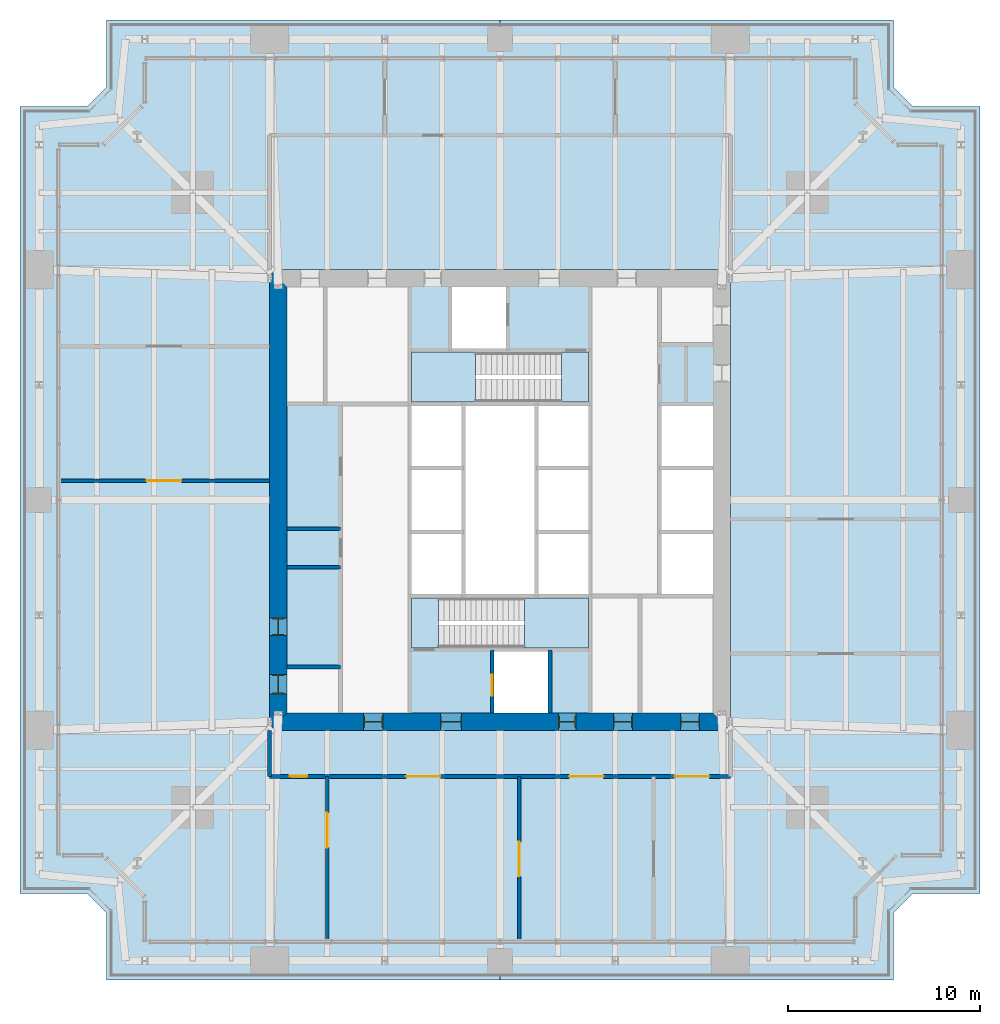
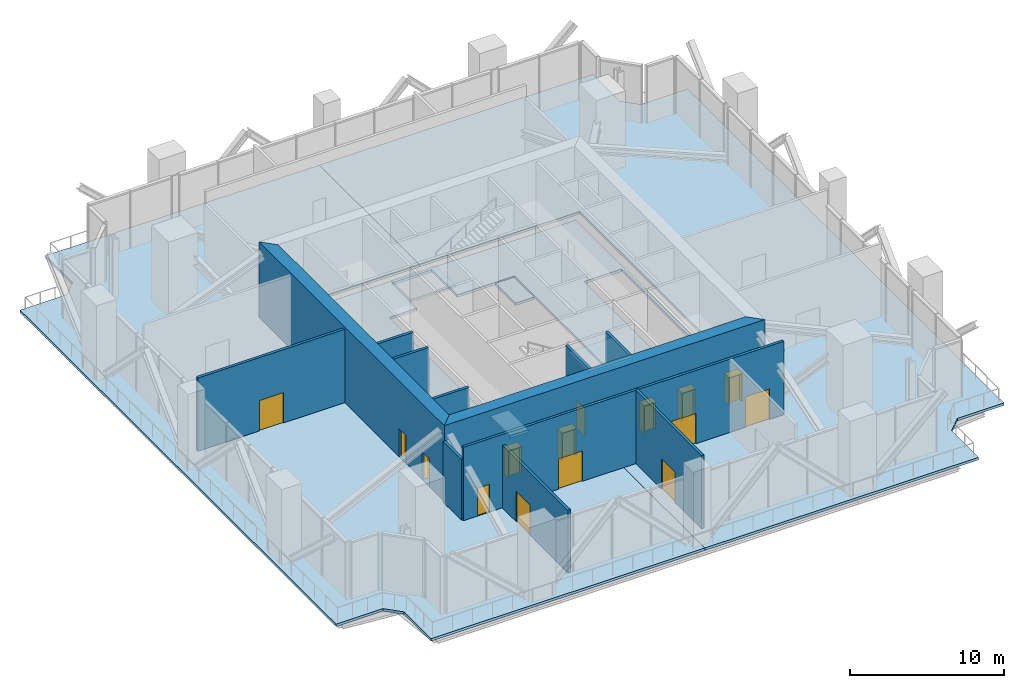
# One storey, part 9 of 14: 15 doors, 12 walls, 7 slabs, 15 openings, 2 elements without a shape of their own.
"""IFC4 building model written with IfcOpenShell, lengths in metres."""

import ifcopenshell
import ifcopenshell.guid

model = None  # the IFC model being written
_history = None  # IfcOwnerHistory: only IFC2X3 demands one
_inside = {}  # id of a spatial element -> (the spatial element, [elements in it])
_under = {}  # id of a project, library or spatial element -> (it, [spatial elements below it])
_declared = {}  # id of a project -> (the project, [libraries it declares])
_typed = {}  # id of a type object -> (the type object, [elements of that type])
_made_of = {}  # id of a material, layer set ... -> (it, [elements and type objects made of it])


def new_model(schema):
    """Start an empty IFC model of exactly this schema.

    Asked for "IFC4X3", IfcOpenShell would pick the latest addendum, in which some entities
    have other attributes; the version numbers below select the first issue.
    IFC2X3 requires an IfcOwnerHistory on every rooted entity: one is made here for all.
    """
    global model, _history
    if schema == "IFC4X3":
        model = ifcopenshell.file(schema_version=(4, 3, 0, 0))
    else:
        model = ifcopenshell.file(schema=schema)
    _inside.clear()
    _under.clear()
    _declared.clear()
    _typed.clear()
    _made_of.clear()
    _history = None
    if model.schema == "IFC2X3":
        org = make("IfcOrganization", Name="unknown")
        user = make(
            "IfcPersonAndOrganization",
            ThePerson=make("IfcPerson", FamilyName="unknown"),
            TheOrganization=org,
        )
        app = make(
            "IfcApplication",
            ApplicationDeveloper=org,
            Version="unknown",
            ApplicationFullName="unknown",
            ApplicationIdentifier="unknown",
        )
        _history = make(
            "IfcOwnerHistory",
            OwningUser=user,
            OwningApplication=app,
            ChangeAction="ADDED",
            CreationDate=0,
        )
    return model


def make(cls, **values):
    """One entity of the class cls with the attributes given. An attribute that is None is left unset."""
    return model.create_entity(
        cls, **{name: value for name, value in values.items() if value is not None}
    )


def rooted(cls, **values):
    """An entity with a GlobalId (a new one), such as an element, a storey or a relation."""
    return make(cls, GlobalId=ifcopenshell.guid.new(), OwnerHistory=_history, **values)


def si_unit(unit_type, name, prefix=None):
    """IfcSIUnit, for example si_unit("LENGTHUNIT", "METRE", prefix="MILLI")."""
    return make("IfcSIUnit", UnitType=unit_type, Prefix=prefix, Name=name)


def assignment(units):
    """IfcUnitAssignment: the units of a project."""
    return None if units is None else make("IfcUnitAssignment", Units=units)


def point(xyz):
    """IfcCartesianPoint."""
    return None if xyz is None else make("IfcCartesianPoint", Coordinates=xyz)


def direction(xyz):
    """IfcDirection."""
    return None if xyz is None else make("IfcDirection", DirectionRatios=xyz)


def frame(location, z_axis=None, x_axis=None):
    """IfcAxis2Placement3D, a coordinate frame: its origin and axes. An axis left out is left unset."""
    return make(
        "IfcAxis2Placement3D",
        Location=point(location),
        Axis=direction(z_axis),
        RefDirection=direction(x_axis),
    )


def frame_2d(location, x_axis=None):
    """IfcAxis2Placement2D, a coordinate frame in the plane: its origin and x axis."""
    return make(
        "IfcAxis2Placement2D", Location=point(location), RefDirection=direction(x_axis)
    )


def origin():
    """The frame at (0, 0, 0) with its axes left unset."""
    return frame((0.0, 0.0, 0.0))


def place(relative_to, where):
    """IfcLocalPlacement: puts the frame where relative to a parent placement (None: the world)."""
    return make(
        "IfcLocalPlacement", PlacementRelTo=relative_to, RelativePlacement=where
    )


def context(
    kind, dimensions, precision=None, world=None, true_north=None, identifier=None
):
    """IfcGeometricRepresentationContext, for example the 3D "Model" context."""
    return make(
        "IfcGeometricRepresentationContext",
        ContextIdentifier=identifier,
        ContextType=kind,
        CoordinateSpaceDimension=dimensions,
        Precision=precision,
        WorldCoordinateSystem=world,
        TrueNorth=true_north,
    )


def subcontext(parent, identifier, kind, view, scale=None):
    """IfcGeometricRepresentationSubContext, for example "Body" below "Model"."""
    return make(
        "IfcGeometricRepresentationSubContext",
        ContextIdentifier=identifier,
        ContextType=kind,
        ParentContext=parent,
        TargetScale=scale,
        TargetView=view,
    )


def project(units=None, contexts=None):
    """IfcProject with its units and contexts."""
    return rooted(
        "IfcProject",
        Name="project",
        RepresentationContexts=contexts,
        UnitsInContext=assignment(units),
    )


def spatial(cls, under=None, at=None, **own):
    """A site, building, storey or space (cls), placed at a placement, below another one or the project."""
    s = rooted(cls, ObjectPlacement=at, **own)
    if under is not None:
        _under.setdefault(under.id(), (under, []))[1].append(s)
    return s


def polyline(points):
    """IfcPolyline through the points."""
    return make("IfcPolyline", Points=[point(p) for p in points])


def profile(cls, at=None, kind="AREA", **sizes):
    """A parametric profile (cls). Its sizes go by their IFC names, for example OverallWidth=200.0."""
    return make(cls, ProfileType=kind, Position=at, **sizes)


def rectangle(**sizes):
    """IfcRectangleProfileDef."""
    return profile("IfcRectangleProfileDef", **sizes)


def outline(outer, holes=None, kind="AREA"):
    """IfcArbitraryClosedProfileDef: a profile drawn as a closed curve; with holes, ...WithVoids."""
    if holes is None:
        return make("IfcArbitraryClosedProfileDef", ProfileType=kind, OuterCurve=outer)
    return make(
        "IfcArbitraryProfileDefWithVoids",
        ProfileType=kind,
        OuterCurve=outer,
        InnerCurves=holes,
    )


def extrude(swept, where, along, depth):
    """IfcExtrudedAreaSolid: the profile swept, set in the frame where, extruded along a direction by depth."""
    return make(
        "IfcExtrudedAreaSolid",
        SweptArea=swept,
        Position=where,
        ExtrudedDirection=direction(along),
        Depth=depth,
    )


def shape(context_of_items, identifier, shape_type, items):
    """IfcShapeRepresentation: the items that make up one representation, for example the "Body"."""
    return make(
        "IfcShapeRepresentation",
        ContextOfItems=context_of_items,
        RepresentationIdentifier=identifier,
        RepresentationType=shape_type,
        Items=items,
    )


def material(Name=None, Category=None):
    """IfcMaterial."""
    return make("IfcMaterial", Name=Name, Category=Category)


def layer(
    of_material, thickness, ventilated=None, Name=None, Category=None, Priority=None
):
    """IfcMaterialLayer: one layer of a wall or slab, of a material (None: an air gap)."""
    return make(
        "IfcMaterialLayer",
        Material=of_material,
        LayerThickness=thickness,
        IsVentilated=ventilated,
        Name=Name,
        Category=Category,
        Priority=Priority,
    )


def layer_set(layers, Name=None):
    """IfcMaterialLayerSet."""
    return make("IfcMaterialLayerSet", MaterialLayers=layers, LayerSetName=Name)


def made_of(thing, what):
    """Note that an element or type object is made of a material, layer set ...; save() writes the relation."""
    if what is not None:
        _made_of.setdefault(what.id(), (what, []))[1].append(thing)
    return thing


def type_object(cls, material=None, **own):
    """A type object (cls), such as IfcWallType, which elements share."""
    return made_of(rooted(cls, **own), material)


def element(
    cls,
    number,
    at=None,
    inside=None,
    cuts=None,
    type_object=None,
    material=None,
    context=None,
    identifier="Body",
    shape_type=None,
    held_by="IfcProductDefinitionShape",
    body=None,
    shapes=None,
    **own,
):
    """One element of the class cls, such as IfcWall. Its Tag is "e" and its number.

    at: its placement. inside: the storey or other place that contains it. cuts: it is an
    opening in that element (IfcRelVoidsElement). A single representation is given by context,
    identifier, shape_type and body (its items); several are given by shapes. held_by: the class
    of the entity that holds the representations. save() writes the other relations.
    """
    e = rooted(cls, Tag="e%d" % number, ObjectPlacement=at, **own)
    if body is not None:
        shapes = [shape(context, identifier, shape_type, body)]
    if shapes is not None:
        e.Representation = make(held_by, Representations=shapes)
    if inside is not None:
        _inside.setdefault(inside.id(), (inside, []))[1].append(e)
    if cuts is not None:
        rooted(
            "IfcRelVoidsElement", RelatingBuildingElement=cuts, RelatedOpeningElement=e
        )
    if type_object is not None:
        _typed.setdefault(type_object.id(), (type_object, []))[1].append(e)
    return made_of(e, material)


def fill(opening, filler):
    """IfcRelFillsElement: the door or window that sits in an opening."""
    return rooted(
        "IfcRelFillsElement",
        RelatingOpeningElement=opening,
        RelatedBuildingElement=filler,
    )


def aggregate(whole, parts):
    """IfcRelAggregates: a whole, such as a stair, and the parts it consists of."""
    return rooted("IfcRelAggregates", RelatingObject=whole, RelatedObjects=parts)


def save(model, path):
    """Write the relations noted so far, then the file.

    IfcRelAggregates (storeys below a building ...), IfcRelContainedInSpatialStructure (elements
    in a storey), IfcRelDefinesByType, IfcRelAssociatesMaterial and IfcRelDeclares: one each for
    every whole, place, type object, material and project.
    """
    for whole, parts in _under.values():
        aggregate(whole, parts)
    for where, things in _inside.values():
        rooted(
            "IfcRelContainedInSpatialStructure",
            RelatedElements=things,
            RelatingStructure=where,
        )
    for kind, things in _typed.values():
        rooted("IfcRelDefinesByType", RelatedObjects=things, RelatingType=kind)
    for what, things in _made_of.values():
        rooted("IfcRelAssociatesMaterial", RelatedObjects=things, RelatingMaterial=what)
    for by, libraries in _declared.values():
        rooted("IfcRelDeclares", RelatingContext=by, RelatedDefinitions=libraries)
    model.write(path)


model = new_model("IFC4")

# Units and contexts
model_context = context("Model", 3, precision=1e-05, world=origin(), true_north=direction((0.0, 1.0)))
body_context = subcontext(model_context, "Body", "Model", "MODEL_VIEW")
ifc_project = project(units=[si_unit("LENGTHUNIT", "METRE"), si_unit("AREAUNIT", "SQUARE_METRE"), si_unit("VOLUMEUNIT", "CUBIC_METRE"), si_unit("PLANEANGLEUNIT", "RADIAN"), si_unit("MASSUNIT", "GRAM", prefix="KILO")], contexts=[model_context])

# Site, building, storey
site_placement = place(None, origin())
site = spatial("IfcSite", under=ifc_project, at=site_placement, CompositionType="ELEMENT")
building_placement = place(site_placement, origin())
building = spatial("IfcBuilding", under=site, at=building_placement, Name="Fenwick Lantern Interchange", CompositionType="ELEMENT")
storey_placement = place(building_placement, frame((0.0, 0.0, 162.39990234375)))
storey = spatial("IfcBuildingStorey", under=building, at=storey_placement, Name="L38", CompositionType="ELEMENT", Elevation=162.39990234375)

# Slabs
ifc_material_1 = material(Name="Concrete f'c 35 MPa", Category="concrete")
ifc_layer_1 = layer(ifc_material_1, 0.199951171875)
ifc_layer_set_1 = layer_set([ifc_layer_1], Name="CORE FLOOR SLAB 200")
slab_type_1 = type_object("IfcSlabType", Name="CORE FLOOR SLAB 200", PredefinedType="FLOOR", material=ifc_layer_set_1)
slab_1_placement = place(storey_placement, frame((0.0, 0.0, -0.199951171875)))
element("IfcSlab", 1, at=slab_1_placement, inside=storey, type_object=slab_type_1, Name="L38/SLAB/CORE", PredefinedType="FLOOR", context=body_context, shape_type="SweptSolid", body=[
    extrude(outline(polyline([(13.699951171875, 36.300048828125), (36.300048828125, 36.300048828125), (36.300048828125, 13.699951171875), (13.699951171875, 13.699951171875), (13.699951171875, 36.300048828125)]), holes=[polyline([(29.699951171875, 17.199951171875), (29.699951171875, 20.0), (29.699951171875, 23.333251953125), (29.699951171875, 26.666748046875), (29.699951171875, 30.0), (29.699951171875, 32.800048828125), (25.39990234375, 32.800048828125), (25.39990234375, 36.10009765625), (22.39990234375, 36.10009765625), (22.39990234375, 32.800048828125), (20.300048828125, 32.800048828125), (20.300048828125, 30.0), (20.300048828125, 26.666748046875), (20.300048828125, 23.333251953125), (20.300048828125, 20.0), (20.300048828125, 17.199951171875), (24.60009765625, 17.199951171875), (24.60009765625, 13.89990234375), (27.60009765625, 13.89990234375), (27.60009765625, 17.199951171875), (29.699951171875, 17.199951171875)]), polyline([(33.300048828125, 23.333251953125), (33.300048828125, 20.0), (36.10009765625, 20.0), (36.10009765625, 23.333251953125), (36.10009765625, 26.666748046875), (36.10009765625, 30.0), (33.300048828125, 30.0), (33.300048828125, 26.666748046875), (33.300048828125, 23.333251953125)])]), origin(), (0.0, 0.0, 1.0), 0.199951171875),
])
ifc_material_2 = material(Name="Concrete f'c 35 MPa", Category="concrete")
ifc_layer_2 = layer(ifc_material_2, 0.199951171875)
ifc_layer_set_2 = layer_set([ifc_layer_2], Name="Concrete f'c 35 MPa")
slab_type_2 = type_object("IfcSlabType", Name="FLOOR SLAB 200", PredefinedType="FLOOR", material=ifc_layer_set_2)
slab_2_placement = place(storey_placement, frame((0.0, 0.0, -0.199951171875)))
element("IfcSlab", 2, at=slab_2_placement, inside=storey, type_object=slab_type_2, Name="L38/SLAB/FW", PredefinedType="FLOOR", context=body_context, shape_type="SweptSolid", body=[
    extrude(outline(polyline([(4.5, 0.0), (4.5, 3.5), (3.5, 4.5), (0.0, 4.5), (0.0, 45.5), (3.5, 45.5), (4.5, 46.5), (4.5, 50.0), (25.0, 50.0), (25.0, 37.0), (13.0, 37.0), (13.0, 13.0), (25.0, 13.0), (25.0, 0.0), (4.5, 0.0)])), origin(), (0.0, 0.0, 1.0), 0.199951171875),
])
slab_3_placement = place(storey_placement, frame((0.0, 0.0, -0.199951171875)))
element("IfcSlab", 3, at=slab_3_placement, inside=storey, type_object=slab_type_2, Name="L38/SLAB/FE", PredefinedType="FLOOR", context=body_context, shape_type="SweptSolid", body=[
    extrude(outline(polyline([(45.5, 50.0), (45.5, 46.5), (46.5, 45.5), (50.0, 45.5), (50.0, 4.5), (46.5, 4.5), (45.5, 3.5), (45.5, 0.0), (25.0, 0.0), (25.0, 13.0), (37.0, 13.0), (37.0, 37.0), (25.0, 37.0), (25.0, 50.0), (45.5, 50.0)])), origin(), (0.0, 0.0, 1.0), 0.199951171875),
])

# Stair, slabs
ifc_material_3 = material(Name="Precast concrete f'c 35 MPa", Category="concrete")
stair_type = type_object("IfcStairType", Name="EXIT STAIR 1200", PredefinedType="HALF_TURN_STAIR", material=ifc_material_3)
stair_1_placement = place(storey_placement, origin())
stair_1 = element("IfcStair", 4, at=stair_1_placement, inside=storey, type_object=stair_type, Name="Exit stair ST1", PredefinedType="HALF_TURN_STAIR")
ifc_layer_3 = layer(ifc_material_1, 0.199951171875)
ifc_layer_set_3 = layer_set([ifc_layer_3], Name="STAIR LANDING 200")
slab_type_3 = type_object("IfcSlabType", Name="STAIR LANDING 200", PredefinedType="LANDING", material=ifc_layer_set_3)
slab_4_placement = place(storey_placement, frame((0.0, 0.0, 2.800048828125)))
slab_4 = element("IfcSlab", 5, at=slab_4_placement, type_object=slab_type_3, Name="ST1 landing 1", PredefinedType="LANDING", context=body_context, shape_type="SweptSolid", body=[
    extrude(outline(polyline([(26.280029296875, 17.300048828125), (29.60009765625, 17.300048828125), (29.60009765625, 19.89990234375), (26.280029296875, 19.89990234375), (26.280029296875, 17.300048828125)])), origin(), (0.0, 0.0, 1.0), 0.199951171875),
])
slab_5_placement = place(storey_placement, frame((0.0, 0.0, -0.199951171875)))
slab_5 = element("IfcSlab", 6, at=slab_5_placement, type_object=slab_type_3, Name="ST1 landing 2", PredefinedType="LANDING", context=body_context, shape_type="SweptSolid", body=[
    extrude(outline(polyline([(20.39990234375, 17.300048828125), (21.800048828125, 17.300048828125), (21.800048828125, 19.89990234375), (20.39990234375, 19.89990234375), (20.39990234375, 17.300048828125)])), origin(), (0.0, 0.0, 1.0), 0.199951171875),
])
aggregate(stair_1, [slab_4, slab_5])

stair_2_placement = place(storey_placement, origin())
stair_2 = element("IfcStair", 7, at=stair_2_placement, inside=storey, type_object=stair_type, Name="Exit stair ST2", PredefinedType="HALF_TURN_STAIR")
slab_6_placement = place(storey_placement, frame((0.0, 0.0, 2.800048828125)))
slab_6 = element("IfcSlab", 8, at=slab_6_placement, type_object=slab_type_3, Name="ST2 landing 1", PredefinedType="LANDING", context=body_context, shape_type="SweptSolid", body=[
    extrude(outline(polyline([(23.719970703125, 32.699951171875), (20.39990234375, 32.699951171875), (20.39990234375, 30.10009765625), (23.719970703125, 30.10009765625), (23.719970703125, 32.699951171875)])), origin(), (0.0, 0.0, 1.0), 0.199951171875),
])
slab_7_placement = place(storey_placement, frame((0.0, 0.0, -0.199951171875)))
slab_7 = element("IfcSlab", 9, at=slab_7_placement, type_object=slab_type_3, Name="ST2 landing 2", PredefinedType="LANDING", context=body_context, shape_type="SweptSolid", body=[
    extrude(outline(polyline([(29.60009765625, 32.699951171875), (28.199951171875, 32.699951171875), (28.199951171875, 30.10009765625), (29.60009765625, 30.10009765625), (29.60009765625, 32.699951171875)])), origin(), (0.0, 0.0, 1.0), 0.199951171875),
])
aggregate(stair_2, [slab_6, slab_7])

# Wall, opening, door
ifc_material_4 = material(Name="Concrete masonry ASTM C90 Grade N", Category="masonry")
ifc_layer_4 = layer(ifc_material_4, 0.199951171875)
ifc_layer_set_4 = layer_set([ifc_layer_4], Name="Concrete masonry ASTM C90 Grade N")
wall_type_1 = type_object("IfcWallType", Name="CORE PARTITION 200", PredefinedType="PARTITIONING", material=ifc_layer_set_4)
wall_1_placement = place(storey_placement, frame((24.60009765625, 13.89990234375, 0.0), z_axis=(0.0, 0.0, 1.0), x_axis=(0.0, 1.0, 0.0)))
wall_1 = element("IfcWall", 10, at=wall_1_placement, inside=storey, type_object=wall_type_1, Name="L38/W/CORES/h1", PredefinedType="PARTITIONING", context=body_context, shape_type="SweptSolid", body=[
    extrude(rectangle(XDim=3.300048828125, YDim=0.199951171875, at=frame_2d((1.64990234375, 0.0))), origin(), (0.0, 0.0, 1.0), 5.800048828125),
])
opening_1_placement = place(wall_1_placement, frame((0.89990234375, 0.0, 0.0)))
opening_1 = element("IfcOpeningElement", 11, at=opening_1_placement, cuts=wall_1, Name="Opening LD-FL1", PredefinedType="OPENING", context=body_context, shape_type="SweptSolid", body=[
    extrude(rectangle(XDim=1.10009765625, YDim=2.199951171875, at=frame_2d((0.550048828125, 1.10009765625))), frame((0.0, 0.10986328125, 0.0), z_axis=(0.0, -1.0, 0.0), x_axis=(1.0, 0.0, 0.0)), (0.0, 0.0, 1.0), 0.219970703125),
])
ifc_material_5 = material(Name="Steel door and frame", Category="steel")
door_type_1 = type_object("IfcDoorType", Name="LIFT LANDING DOOR 1100 X 2200", OperationType="DOUBLE_DOOR_SLIDING", PredefinedType="DOOR", material=ifc_material_5)
door_1_placement = place(opening_1_placement, origin())
door_1 = element("IfcDoor", 12, at=door_1_placement, inside=storey, type_object=door_type_1, Name="Lift landing door FL1", OperationType="DOUBLE_DOOR_SLIDING", OverallHeight=2.199951171875, OverallWidth=1.10009765625, PredefinedType="DOOR", context=body_context, shape_type="SweptSolid", body=[
    extrude(rectangle(XDim=1.10009765625, YDim=2.199951171875, at=frame_2d((0.550048828125, 1.10009765625))), frame((0.0, 0.02490234375, 0.0), z_axis=(0.0, -1.0, 0.0), x_axis=(1.0, 0.0, 0.0)), (0.0, 0.0, 1.0), 0.050048828125),
])
fill(opening_1, door_1)

# Walls
wall_2_placement = place(storey_placement, frame((27.60009765625, 13.89990234375, 0.0), z_axis=(0.0, 0.0, 1.0), x_axis=(0.0, 1.0, 0.0)))
element("IfcWall", 13, at=wall_2_placement, inside=storey, type_object=wall_type_1, Name="L38/W/CORES/h2", PredefinedType="PARTITIONING", context=body_context, shape_type="SweptSolid", body=[
    extrude(rectangle(XDim=3.300048828125, YDim=0.199951171875, at=frame_2d((1.64990234375, 0.0))), origin(), (0.0, 0.0, 1.0), 5.800048828125),
])
for number, where, z_axis, x_axis, name in (
    (14, (13.89990234375, 16.300048828125, 0.0), (0.0, 0.0, 1.0), (1.0, 0.0, 0.0), "L38/W/CORES/p1"),
    (15, (13.89990234375, 21.5, 0.0), (0.0, 0.0, 1.0), (1.0, 0.0, 0.0), "L38/W/CORES/p2"),
    (16, (13.89990234375, 23.5, 0.0), (0.0, 0.0, 1.0), (1.0, 0.0, 0.0), "L38/W/CORES/p3"),
):
    element("IfcWall", number, at=place(storey_placement, frame(where, z_axis=z_axis, x_axis=x_axis)), inside=storey, type_object=wall_type_1, Name=name, PredefinedType="PARTITIONING", context=body_context, shape_type="SweptSolid", body=[
        extrude(rectangle(XDim=2.800048828125, YDim=0.199951171875, at=frame_2d((1.39990234375, 0.0))), origin(), (0.0, 0.0, 1.0), 5.800048828125),
    ])

# Wall, openings, doors
ifc_material_6 = material(Name="Concrete f'c 70 MPa", Category="concrete")
ifc_layer_5 = layer(ifc_material_6, 0.89990234375)
ifc_layer_set_5 = layer_set([ifc_layer_5], Name="CORE WALL 900")
wall_type_2 = type_object("IfcWallType", Name="CORE WALL 900", PredefinedType="SHEAR", material=ifc_layer_set_5)
wall_3_placement = place(storey_placement, frame((13.0, 13.449951171875, 0.0), z_axis=(0.0, 0.0, 1.0), x_axis=(1.0, 0.0, 0.0)))
wall_3 = element("IfcWall", 17, at=wall_3_placement, inside=storey, type_object=wall_type_2, Name="L38/CORE/S", PredefinedType="SHEAR", context=body_context, shape_type="SweptSolid", body=[
    extrude(outline(polyline([(0.0, -0.449951171875), (24.0, -0.449951171875), (23.10009765625, 0.449951171875), (0.89990234375, 0.449951171875), (0.0, -0.449951171875)])), origin(), (0.0, 0.0, 1.0), 6.0),
])
opening_2_placement = place(wall_3_placement, frame((4.89990234375, 0.0, 0.0)))
opening_2 = element("IfcOpeningElement", 18, at=opening_2_placement, cuts=wall_3, Name="Opening L38-D002", PredefinedType="OPENING", context=body_context, shape_type="SweptSolid", body=[
    extrude(rectangle(XDim=1.0, YDim=2.199951171875, at=frame_2d((0.5, 1.10009765625))), frame((0.0, 0.4599609375, 0.0), z_axis=(0.0, -1.0, 0.0), x_axis=(1.0, 0.0, 0.0)), (0.0, 0.0, 1.0), 0.919921875),
])
opening_3_placement = place(wall_3_placement, frame((8.89990234375, 0.0, 0.0)))
opening_3 = element("IfcOpeningElement", 19, at=opening_3_placement, cuts=wall_3, Name="Opening L38-D003", PredefinedType="OPENING", context=body_context, shape_type="SweptSolid", body=[
    extrude(rectangle(XDim=1.10009765625, YDim=2.199951171875, at=frame_2d((0.550048828125, 1.10009765625))), frame((0.0, 0.4599609375, 0.0), z_axis=(0.0, -1.0, 0.0), x_axis=(1.0, 0.0, 0.0)), (0.0, 0.0, 1.0), 0.919921875),
])
opening_4_placement = place(wall_3_placement, frame((15.050048828125, 0.0, 0.0)))
opening_4 = element("IfcOpeningElement", 20, at=opening_4_placement, cuts=wall_3, Name="Opening L38-D005", PredefinedType="OPENING", context=body_context, shape_type="SweptSolid", body=[
    extrude(rectangle(XDim=0.89990234375, YDim=2.199951171875, at=frame_2d((0.449951171875, 1.10009765625))), frame((0.0, 0.4599609375, 0.0), z_axis=(0.0, -1.0, 0.0), x_axis=(1.0, 0.0, 0.0)), (0.0, 0.0, 1.0), 0.919921875),
])
opening_5_placement = place(wall_3_placement, frame((17.89990234375, 0.0, 0.0)))
opening_5 = element("IfcOpeningElement", 21, at=opening_5_placement, cuts=wall_3, Name="Opening L38-D006", PredefinedType="OPENING", context=body_context, shape_type="SweptSolid", body=[
    extrude(rectangle(XDim=1.0, YDim=2.199951171875, at=frame_2d((0.5, 1.10009765625))), frame((0.0, 0.4599609375, 0.0), z_axis=(0.0, -1.0, 0.0), x_axis=(1.0, 0.0, 0.0)), (0.0, 0.0, 1.0), 0.919921875),
])
opening_6_placement = place(wall_3_placement, frame((21.39990234375, 0.0, 0.0)))
opening_6 = element("IfcOpeningElement", 22, at=opening_6_placement, cuts=wall_3, Name="Opening L38-D007", PredefinedType="OPENING", context=body_context, shape_type="SweptSolid", body=[
    extrude(rectangle(XDim=1.0, YDim=2.199951171875, at=frame_2d((0.5, 1.10009765625))), frame((0.0, 0.4599609375, 0.0), z_axis=(0.0, -1.0, 0.0), x_axis=(1.0, 0.0, 0.0)), (0.0, 0.0, 1.0), 0.919921875),
])
door_type_2 = type_object("IfcDoorType", Name="CORE LOBBY DOOR 1000 X 2200", OperationType="SINGLE_SWING_LEFT", PredefinedType="DOOR", material=ifc_material_5)
door_2_placement = place(opening_2_placement, origin())
door_2 = element("IfcDoor", 23, at=door_2_placement, inside=storey, type_object=door_type_2, Name="Core lobby door", OperationType="SINGLE_SWING_LEFT", OverallHeight=2.199951171875, OverallWidth=1.0, PredefinedType="DOOR", context=body_context, shape_type="SweptSolid", body=[
    extrude(rectangle(XDim=1.0, YDim=2.199951171875, at=frame_2d((0.5, 1.10009765625))), frame((0.0, 0.02490234375, 0.0), z_axis=(0.0, -1.0, 0.0), x_axis=(1.0, 0.0, 0.0)), (0.0, 0.0, 1.0), 0.050048828125),
    extrude(outline(polyline([(0.0, 0.0), (0.0400390625, 0.0), (0.0400390625, 2.159912109375), (0.9599609375, 2.159912109375), (0.9599609375, 0.0), (1.0, 0.0), (1.0, 2.199951171875), (0.0, 2.199951171875), (0.0, 0.0)])), frame((0.0, 0.300048828125, 0.0), z_axis=(0.0, -1.0, 0.0), x_axis=(1.0, 0.0, 0.0)), (0.0, 0.0, 1.0), 0.60009765625),
])
fill(opening_2, door_2)
door_type_3 = type_object("IfcDoorType", Name="FIRE LOBBY DOOR 1100 X 2200", OperationType="SINGLE_SWING_LEFT", PredefinedType="DOOR", material=ifc_material_5)
door_3_placement = place(opening_3_placement, origin())
door_3 = element("IfcDoor", 24, at=door_3_placement, inside=storey, type_object=door_type_3, Name="Fire lobby door", OperationType="SINGLE_SWING_LEFT", OverallHeight=2.199951171875, OverallWidth=1.10009765625, PredefinedType="DOOR", context=body_context, shape_type="SweptSolid", body=[
    extrude(rectangle(XDim=1.10009765625, YDim=2.199951171875, at=frame_2d((0.550048828125, 1.10009765625))), frame((0.0, 0.02490234375, 0.0), z_axis=(0.0, -1.0, 0.0), x_axis=(1.0, 0.0, 0.0)), (0.0, 0.0, 1.0), 0.050048828125),
    extrude(outline(polyline([(0.0, 0.0), (0.0400390625, 0.0), (0.0400390625, 2.159912109375), (1.06005859375, 2.159912109375), (1.06005859375, 0.0), (1.10009765625, 0.0), (1.10009765625, 2.199951171875), (0.0, 2.199951171875), (0.0, 0.0)])), frame((0.0, 0.300048828125, 0.0), z_axis=(0.0, -1.0, 0.0), x_axis=(1.0, 0.0, 0.0)), (0.0, 0.0, 1.0), 0.60009765625),
])
fill(opening_3, door_3)
door_type_4 = type_object("IfcDoorType", Name="SERVICE DOOR 900 X 2200", OperationType="SINGLE_SWING_LEFT", PredefinedType="DOOR", material=ifc_material_5)
door_4_placement = place(opening_4_placement, origin())
door_4 = element("IfcDoor", 25, at=door_4_placement, inside=storey, type_object=door_type_4, Name="Service door", OperationType="SINGLE_SWING_LEFT", OverallHeight=2.199951171875, OverallWidth=0.89990234375, PredefinedType="DOOR", context=body_context, shape_type="SweptSolid", body=[
    extrude(rectangle(XDim=0.89990234375, YDim=2.199951171875, at=frame_2d((0.449951171875, 1.10009765625))), frame((0.0, 0.02490234375, 0.0), z_axis=(0.0, -1.0, 0.0), x_axis=(1.0, 0.0, 0.0)), (0.0, 0.0, 1.0), 0.050048828125),
    extrude(outline(polyline([(0.0, 0.0), (0.0400390625, 0.0), (0.0400390625, 2.159912109375), (0.85986328125, 2.159912109375), (0.85986328125, 0.0), (0.89990234375, 0.0), (0.89990234375, 2.199951171875), (0.0, 2.199951171875), (0.0, 0.0)])), frame((0.0, 0.300048828125, 0.0), z_axis=(0.0, -1.0, 0.0), x_axis=(1.0, 0.0, 0.0)), (0.0, 0.0, 1.0), 0.60009765625),
])
fill(opening_4, door_4)
ifc_material_7 = material(Name="Hardwood door and steel frame", Category="steel")
door_type_5 = type_object("IfcDoorType", Name="WC DOOR 1000 X 2200", OperationType="SINGLE_SWING_LEFT", PredefinedType="DOOR", material=ifc_material_7)
door_5_placement = place(opening_5_placement, origin())
door_5 = element("IfcDoor", 26, at=door_5_placement, inside=storey, type_object=door_type_5, Name="Wc door", OperationType="SINGLE_SWING_RIGHT", OverallHeight=2.199951171875, OverallWidth=1.0, PredefinedType="DOOR", context=body_context, shape_type="SweptSolid", body=[
    extrude(rectangle(XDim=1.0, YDim=2.199951171875, at=frame_2d((0.5, 1.10009765625))), frame((0.0, 0.02490234375, 0.0), z_axis=(0.0, -1.0, 0.0), x_axis=(1.0, 0.0, 0.0)), (0.0, 0.0, 1.0), 0.050048828125),
    extrude(outline(polyline([(0.0, 0.0), (0.0400390625, 0.0), (0.0400390625, 2.159912109375), (0.9599609375, 2.159912109375), (0.9599609375, 0.0), (1.0, 0.0), (1.0, 2.199951171875), (0.0, 2.199951171875), (0.0, 0.0)])), frame((0.0, 0.300048828125, 0.0), z_axis=(0.0, -1.0, 0.0), x_axis=(1.0, 0.0, 0.0)), (0.0, 0.0, 1.0), 0.60009765625),
])
fill(opening_5, door_5)
door_6_placement = place(opening_6_placement, origin())
door_6 = element("IfcDoor", 27, at=door_6_placement, inside=storey, type_object=door_type_5, Name="Wc door", OperationType="SINGLE_SWING_RIGHT", OverallHeight=2.199951171875, OverallWidth=1.0, PredefinedType="DOOR", context=body_context, shape_type="SweptSolid", body=[
    extrude(rectangle(XDim=1.0, YDim=2.199951171875, at=frame_2d((0.5, 1.10009765625))), frame((0.0, 0.02490234375, 0.0), z_axis=(0.0, -1.0, 0.0), x_axis=(1.0, 0.0, 0.0)), (0.0, 0.0, 1.0), 0.050048828125),
    extrude(outline(polyline([(0.0, 0.0), (0.0400390625, 0.0), (0.0400390625, 2.159912109375), (0.9599609375, 2.159912109375), (0.9599609375, 0.0), (1.0, 0.0), (1.0, 2.199951171875), (0.0, 2.199951171875), (0.0, 0.0)])), frame((0.0, 0.300048828125, 0.0), z_axis=(0.0, -1.0, 0.0), x_axis=(1.0, 0.0, 0.0)), (0.0, 0.0, 1.0), 0.60009765625),
])
fill(opening_6, door_6)

wall_4_placement = place(storey_placement, frame((13.449951171875, 36.10009765625, 0.0), z_axis=(0.0, 0.0, 1.0), x_axis=(0.0, -1.0, 0.0)))
wall_4 = element("IfcWall", 28, at=wall_4_placement, inside=storey, type_object=wall_type_2, Name="L38/CORE/W", PredefinedType="SHEAR", context=body_context, shape_type="SweptSolid", body=[
    extrude(outline(polyline([(-0.89990234375, -0.449951171875), (23.10009765625, -0.449951171875), (22.199951171875, 0.449951171875), (0.0, 0.449951171875), (-0.89990234375, -0.449951171875)])), origin(), (0.0, 0.0, 1.0), 6.0),
])
opening_7_placement = place(wall_4_placement, frame((20.199951171875, 0.0, 0.0)))
opening_7 = element("IfcOpeningElement", 29, at=opening_7_placement, cuts=wall_4, Name="Opening L38-D008", PredefinedType="OPENING", context=body_context, shape_type="SweptSolid", body=[
    extrude(rectangle(XDim=1.0, YDim=2.199951171875, at=frame_2d((0.5, 1.10009765625))), frame((0.0, 0.4599609375, 0.0), z_axis=(0.0, -1.0, 0.0), x_axis=(1.0, 0.0, 0.0)), (0.0, 0.0, 1.0), 0.919921875),
])
opening_8_placement = place(wall_4_placement, frame((17.25, 0.0, 0.0)))
opening_8 = element("IfcOpeningElement", 30, at=opening_8_placement, cuts=wall_4, Name="Opening L38-D009", PredefinedType="OPENING", context=body_context, shape_type="SweptSolid", body=[
    extrude(rectangle(XDim=0.89990234375, YDim=2.199951171875, at=frame_2d((0.449951171875, 1.10009765625))), frame((0.0, 0.4599609375, 0.0), z_axis=(0.0, -1.0, 0.0), x_axis=(1.0, 0.0, 0.0)), (0.0, 0.0, 1.0), 0.919921875),
])
door_7_placement = place(opening_8_placement, origin())
door_7 = element("IfcDoor", 31, at=door_7_placement, inside=storey, type_object=door_type_4, Name="Service door", OperationType="SINGLE_SWING_RIGHT", OverallHeight=2.199951171875, OverallWidth=0.89990234375, PredefinedType="DOOR", context=body_context, shape_type="SweptSolid", body=[
    extrude(rectangle(XDim=0.89990234375, YDim=2.199951171875, at=frame_2d((0.449951171875, 1.10009765625))), frame((0.0, 0.02490234375, 0.0), z_axis=(0.0, -1.0, 0.0), x_axis=(1.0, 0.0, 0.0)), (0.0, 0.0, 1.0), 0.050048828125),
    extrude(outline(polyline([(0.0, 0.0), (0.0400390625, 0.0), (0.0400390625, 2.159912109375), (0.85986328125, 2.159912109375), (0.85986328125, 0.0), (0.89990234375, 0.0), (0.89990234375, 2.199951171875), (0.0, 2.199951171875), (0.0, 0.0)])), frame((0.0, 0.300048828125, 0.0), z_axis=(0.0, -1.0, 0.0), x_axis=(1.0, 0.0, 0.0)), (0.0, 0.0, 1.0), 0.60009765625),
])
fill(opening_8, door_7)
door_8_placement = place(opening_7_placement, origin())
door_8 = element("IfcDoor", 32, at=door_8_placement, inside=storey, type_object=door_type_5, Name="Wc door", OperationType="SINGLE_SWING_LEFT", OverallHeight=2.199951171875, OverallWidth=1.0, PredefinedType="DOOR", context=body_context, shape_type="SweptSolid", body=[
    extrude(rectangle(XDim=1.0, YDim=2.199951171875, at=frame_2d((0.5, 1.10009765625))), frame((0.0, 0.02490234375, 0.0), z_axis=(0.0, -1.0, 0.0), x_axis=(1.0, 0.0, 0.0)), (0.0, 0.0, 1.0), 0.050048828125),
    extrude(outline(polyline([(0.0, 0.0), (0.0400390625, 0.0), (0.0400390625, 2.159912109375), (0.9599609375, 2.159912109375), (0.9599609375, 0.0), (1.0, 0.0), (1.0, 2.199951171875), (0.0, 2.199951171875), (0.0, 0.0)])), frame((0.0, 0.300048828125, 0.0), z_axis=(0.0, -1.0, 0.0), x_axis=(1.0, 0.0, 0.0)), (0.0, 0.0, 1.0), 0.60009765625),
])
fill(opening_7, door_8)

ifc_layer_6 = layer(ifc_material_4, 0.199951171875)
ifc_layer_set_6 = layer_set([ifc_layer_6], Name="Concrete masonry ASTM C90 Grade N")
wall_type_3 = type_object("IfcWallType", Name="PLANT ROOM WALL 200", PredefinedType="PARTITIONING", material=ifc_layer_set_6)
wall_5_placement = place(storey_placement, frame((13.0, 10.60009765625, 0.0), z_axis=(0.0, 0.0, 1.0), x_axis=(1.0, 0.0, 0.0)))
wall_5 = element("IfcWall", 33, at=wall_5_placement, inside=storey, type_object=wall_type_3, Name="L38/W/FLOOR/PCS-W", PredefinedType="PARTITIONING", context=body_context, shape_type="SweptSolid", body=[
    extrude(rectangle(XDim=24.0, YDim=0.199951171875, at=frame_2d((12.0, 0.0))), origin(), (0.0, 0.0, 1.0), 5.800048828125),
])
opening_9_placement = place(wall_5_placement, frame((1.050048828125, 0.0, 0.0)))
opening_9 = element("IfcOpeningElement", 34, at=opening_9_placement, cuts=wall_5, Name="Opening L38-D031", PredefinedType="OPENING", context=body_context, shape_type="SweptSolid", body=[
    extrude(rectangle(XDim=0.89990234375, YDim=2.199951171875, at=frame_2d((0.449951171875, 1.10009765625))), frame((0.0, 0.10986328125, 0.0), z_axis=(0.0, -1.0, 0.0), x_axis=(1.0, 0.0, 0.0)), (0.0, 0.0, 1.0), 0.219970703125),
])
opening_10_placement = place(wall_5_placement, frame((7.10009765625, 0.0, 0.0)))
opening_10 = element("IfcOpeningElement", 35, at=opening_10_placement, cuts=wall_5, Name="Opening L38-D032", PredefinedType="OPENING", context=body_context, shape_type="SweptSolid", body=[
    extrude(rectangle(XDim=1.800048828125, YDim=2.39990234375, at=frame_2d((0.89990234375, 1.199951171875))), frame((0.0, 0.10986328125, 0.0), z_axis=(0.0, -1.0, 0.0), x_axis=(1.0, 0.0, 0.0)), (0.0, 0.0, 1.0), 0.219970703125),
])
opening_11_placement = place(wall_5_placement, frame((15.60009765625, 0.0, 0.0)))
opening_11 = element("IfcOpeningElement", 36, at=opening_11_placement, cuts=wall_5, Name="Opening L38-D033", PredefinedType="OPENING", context=body_context, shape_type="SweptSolid", body=[
    extrude(rectangle(XDim=1.800048828125, YDim=2.39990234375, at=frame_2d((0.89990234375, 1.199951171875))), frame((0.0, 0.10986328125, 0.0), z_axis=(0.0, -1.0, 0.0), x_axis=(1.0, 0.0, 0.0)), (0.0, 0.0, 1.0), 0.219970703125),
])
opening_12_placement = place(wall_5_placement, frame((21.10009765625, 0.0, 0.0)))
opening_12 = element("IfcOpeningElement", 37, at=opening_12_placement, cuts=wall_5, Name="Opening L38-D034", PredefinedType="OPENING", context=body_context, shape_type="SweptSolid", body=[
    extrude(rectangle(XDim=1.800048828125, YDim=2.39990234375, at=frame_2d((0.89990234375, 1.199951171875))), frame((0.0, 0.10986328125, 0.0), z_axis=(0.0, -1.0, 0.0), x_axis=(1.0, 0.0, 0.0)), (0.0, 0.0, 1.0), 0.219970703125),
])
door_type_6 = type_object("IfcDoorType", Name="ROOM DOOR PAIR 1800 X 2400", OperationType="DOUBLE_DOOR_SINGLE_SWING", PredefinedType="DOOR", material=ifc_material_5)
door_9_placement = place(opening_10_placement, origin())
door_9 = element("IfcDoor", 38, at=door_9_placement, inside=storey, type_object=door_type_6, Name="Room door pair", OperationType="DOUBLE_DOOR_SINGLE_SWING", OverallHeight=2.39990234375, OverallWidth=1.800048828125, PredefinedType="DOOR", context=body_context, shape_type="SweptSolid", body=[
    extrude(rectangle(XDim=1.800048828125, YDim=2.39990234375, at=frame_2d((0.89990234375, 1.199951171875))), frame((0.0, 0.02490234375, 0.0), z_axis=(0.0, -1.0, 0.0), x_axis=(1.0, 0.0, 0.0)), (0.0, 0.0, 1.0), 0.050048828125),
])
fill(opening_10, door_9)
door_10_placement = place(opening_11_placement, origin())
door_10 = element("IfcDoor", 39, at=door_10_placement, inside=storey, type_object=door_type_6, Name="Room door pair", OperationType="DOUBLE_DOOR_SINGLE_SWING", OverallHeight=2.39990234375, OverallWidth=1.800048828125, PredefinedType="DOOR", context=body_context, shape_type="SweptSolid", body=[
    extrude(rectangle(XDim=1.800048828125, YDim=2.39990234375, at=frame_2d((0.89990234375, 1.199951171875))), frame((0.0, 0.02490234375, 0.0), z_axis=(0.0, -1.0, 0.0), x_axis=(1.0, 0.0, 0.0)), (0.0, 0.0, 1.0), 0.050048828125),
])
fill(opening_11, door_10)
door_11_placement = place(opening_12_placement, origin())
door_11 = element("IfcDoor", 40, at=door_11_placement, inside=storey, type_object=door_type_6, Name="Room door pair", OperationType="DOUBLE_DOOR_SINGLE_SWING", OverallHeight=2.39990234375, OverallWidth=1.800048828125, PredefinedType="DOOR", context=body_context, shape_type="SweptSolid", body=[
    extrude(rectangle(XDim=1.800048828125, YDim=2.39990234375, at=frame_2d((0.89990234375, 1.199951171875))), frame((0.0, 0.02490234375, 0.0), z_axis=(0.0, -1.0, 0.0), x_axis=(1.0, 0.0, 0.0)), (0.0, 0.0, 1.0), 0.050048828125),
])
fill(opening_12, door_11)
door_12_placement = place(opening_9_placement, frame((0.89990234375, 0.0, 0.0), z_axis=(0.0, 0.0, 1.0), x_axis=(-1.0, 0.0, 0.0)))
door_12 = element("IfcDoor", 41, at=door_12_placement, inside=storey, type_object=door_type_4, Name="Service door", OperationType="SINGLE_SWING_LEFT", OverallHeight=2.199951171875, OverallWidth=0.89990234375, PredefinedType="DOOR", context=body_context, shape_type="SweptSolid", body=[
    extrude(rectangle(XDim=0.89990234375, YDim=2.199951171875, at=frame_2d((0.449951171875, 1.10009765625))), frame((0.0, 0.02490234375, 0.0), z_axis=(0.0, -1.0, 0.0), x_axis=(1.0, 0.0, 0.0)), (0.0, 0.0, 1.0), 0.050048828125),
])
fill(opening_9, door_12)

# Wall
wall_6_placement = place(storey_placement, frame((13.0, 10.60009765625, 0.0), z_axis=(0.0, 0.0, 1.0), x_axis=(0.0, 1.0, 0.0)))
element("IfcWall", 42, at=wall_6_placement, inside=storey, type_object=wall_type_3, Name="L38/W/FLOOR/PCS-A", PredefinedType="PARTITIONING", context=body_context, shape_type="SweptSolid", body=[
    extrude(rectangle(XDim=2.39990234375, YDim=0.199951171875, at=frame_2d((1.199951171875, 0.0))), origin(), (0.0, 0.0, 1.0), 4.806884765625),
])

# Wall, opening, door
wall_7_placement = place(storey_placement, frame((16.0, 2.0, 0.0), z_axis=(0.0, 0.0, 1.0), x_axis=(0.0, 1.0, 0.0)))
wall_7 = element("IfcWall", 43, at=wall_7_placement, inside=storey, type_object=wall_type_3, Name="L38/W/FLOOR/PW1", PredefinedType="PARTITIONING", context=body_context, shape_type="SweptSolid", body=[
    extrude(rectangle(XDim=8.60009765625, YDim=0.199951171875, at=frame_2d((4.300048828125, 0.0))), origin(), (0.0, 0.0, 1.0), 4.954345703125),
])
opening_13_placement = place(wall_7_placement, frame((4.89990234375, 0.0, 0.0)))
opening_13 = element("IfcOpeningElement", 44, at=opening_13_placement, cuts=wall_7, Name="Opening L38-D022", PredefinedType="OPENING", context=body_context, shape_type="SweptSolid", body=[
    extrude(rectangle(XDim=1.800048828125, YDim=2.39990234375, at=frame_2d((0.89990234375, 1.199951171875))), frame((0.0, 0.10986328125, 0.0), z_axis=(0.0, -1.0, 0.0), x_axis=(1.0, 0.0, 0.0)), (0.0, 0.0, 1.0), 0.219970703125),
])
door_13_placement = place(opening_13_placement, frame((1.800048828125, 0.0, 0.0), z_axis=(0.0, 0.0, 1.0), x_axis=(-1.0, 0.0, 0.0)))
door_13 = element("IfcDoor", 45, at=door_13_placement, inside=storey, type_object=door_type_6, Name="Room door pair", OperationType="DOUBLE_DOOR_SINGLE_SWING", OverallHeight=2.39990234375, OverallWidth=1.800048828125, PredefinedType="DOOR", context=body_context, shape_type="SweptSolid", body=[
    extrude(rectangle(XDim=1.800048828125, YDim=2.39990234375, at=frame_2d((0.89990234375, 1.199951171875))), frame((0.0, 0.02490234375, 0.0), z_axis=(0.0, -1.0, 0.0), x_axis=(1.0, 0.0, 0.0)), (0.0, 0.0, 1.0), 0.050048828125),
])
fill(opening_13, door_13)

wall_8_placement = place(storey_placement, frame((26.0, 2.0, 0.0), z_axis=(0.0, 0.0, 1.0), x_axis=(0.0, 1.0, 0.0)))
wall_8 = element("IfcWall", 46, at=wall_8_placement, inside=storey, type_object=wall_type_3, Name="L38/W/FLOOR/PW2", PredefinedType="PARTITIONING", context=body_context, shape_type="SweptSolid", body=[
    extrude(rectangle(XDim=8.60009765625, YDim=0.199951171875, at=frame_2d((4.300048828125, 0.0))), origin(), (0.0, 0.0, 1.0), 5.800048828125),
])
opening_14_placement = place(wall_8_placement, frame((3.39990234375, 0.0, 0.0)))
opening_14 = element("IfcOpeningElement", 47, at=opening_14_placement, cuts=wall_8, Name="Opening L38-D023", PredefinedType="OPENING", context=body_context, shape_type="SweptSolid", body=[
    extrude(rectangle(XDim=1.800048828125, YDim=2.39990234375, at=frame_2d((0.89990234375, 1.199951171875))), frame((0.0, 0.10986328125, 0.0), z_axis=(0.0, -1.0, 0.0), x_axis=(1.0, 0.0, 0.0)), (0.0, 0.0, 1.0), 0.219970703125),
])
door_14_placement = place(opening_14_placement, frame((1.800048828125, 0.0, 0.0), z_axis=(0.0, 0.0, 1.0), x_axis=(-1.0, 0.0, 0.0)))
door_14 = element("IfcDoor", 48, at=door_14_placement, inside=storey, type_object=door_type_6, Name="Room door pair", OperationType="DOUBLE_DOOR_SINGLE_SWING", OverallHeight=2.39990234375, OverallWidth=1.800048828125, PredefinedType="DOOR", context=body_context, shape_type="SweptSolid", body=[
    extrude(rectangle(XDim=1.800048828125, YDim=2.39990234375, at=frame_2d((0.89990234375, 1.199951171875))), frame((0.0, 0.02490234375, 0.0), z_axis=(0.0, -1.0, 0.0), x_axis=(1.0, 0.0, 0.0)), (0.0, 0.0, 1.0), 0.050048828125),
])
fill(opening_14, door_14)

wall_9_placement = place(storey_placement, frame((2.0, 26.0, 0.0), z_axis=(0.0, 0.0, 1.0), x_axis=(1.0, 0.0, 0.0)))
wall_9 = element("IfcWall", 49, at=wall_9_placement, inside=storey, type_object=wall_type_3, Name="L38/W/FLOOR/PW8", PredefinedType="PARTITIONING", context=body_context, shape_type="SweptSolid", body=[
    extrude(rectangle(XDim=11.0, YDim=0.199951171875, at=frame_2d((5.5, 0.0))), origin(), (0.0, 0.0, 1.0), 5.800048828125),
])
opening_15_placement = place(wall_9_placement, frame((4.60009765625, 0.0, 0.0)))
opening_15 = element("IfcOpeningElement", 50, at=opening_15_placement, cuts=wall_9, Name="Opening L38-D029", PredefinedType="OPENING", context=body_context, shape_type="SweptSolid", body=[
    extrude(rectangle(XDim=1.800048828125, YDim=2.39990234375, at=frame_2d((0.89990234375, 1.199951171875))), frame((0.0, 0.10986328125, 0.0), z_axis=(0.0, -1.0, 0.0), x_axis=(1.0, 0.0, 0.0)), (0.0, 0.0, 1.0), 0.219970703125),
])
door_15_placement = place(opening_15_placement, origin())
door_15 = element("IfcDoor", 51, at=door_15_placement, inside=storey, type_object=door_type_6, Name="Room door pair", OperationType="DOUBLE_DOOR_SINGLE_SWING", OverallHeight=2.39990234375, OverallWidth=1.800048828125, PredefinedType="DOOR", context=body_context, shape_type="SweptSolid", body=[
    extrude(rectangle(XDim=1.800048828125, YDim=2.39990234375, at=frame_2d((0.89990234375, 1.199951171875))), frame((0.0, 0.02490234375, 0.0), z_axis=(0.0, -1.0, 0.0), x_axis=(1.0, 0.0, 0.0)), (0.0, 0.0, 1.0), 0.050048828125),
])
fill(opening_15, door_15)

save(model, "model.ifc")
